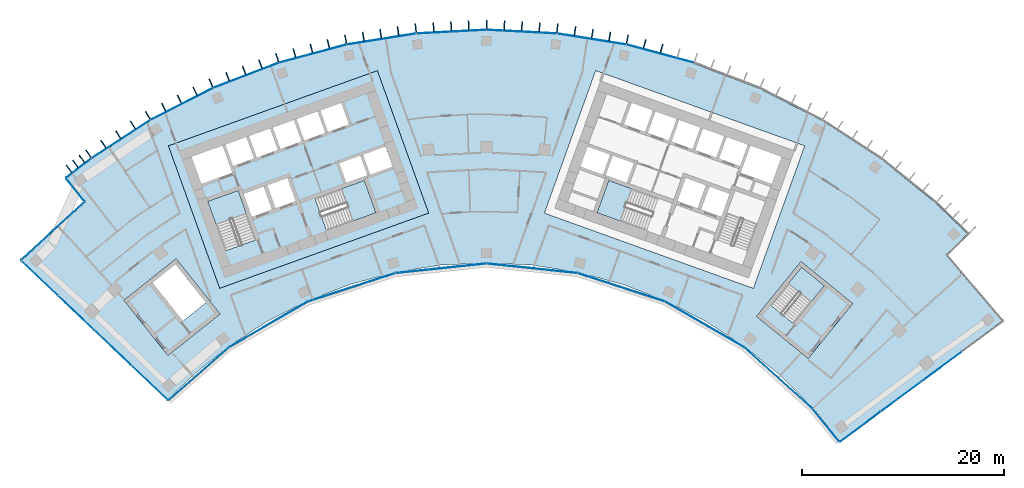
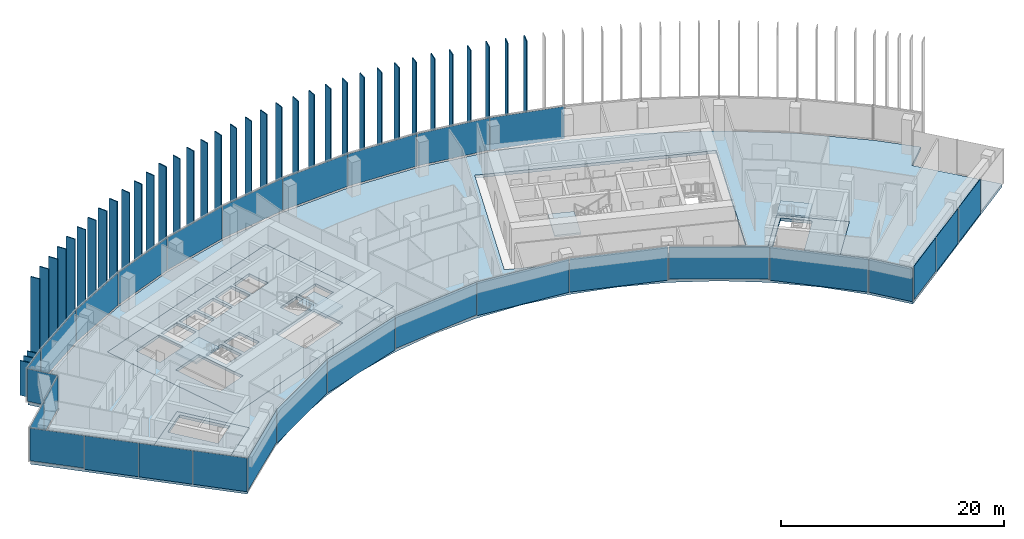
# One storey, part 11 of 20: 67 plates, 8 slabs, 10 elements without a shape of their own.
"""IFC4 building model written with IfcOpenShell, lengths in metres."""

from ifc_helpers import new_model, si_unit, direction, frame, origin, origin_2d, place, context, subcontext, project, spatial, polyline, rectangle, outline, extrude, material, layer, layer_set, type_object, element, aggregate, save


model = new_model("IFC4")

# Units and contexts
model_context = context("Model", 3, precision=1e-05, world=origin(), true_north=direction((0.0, 1.0)))
body_context = subcontext(model_context, "Body", "Model", "MODEL_VIEW")
ifc_project = project(units=[si_unit("LENGTHUNIT", "METRE"), si_unit("AREAUNIT", "SQUARE_METRE"), si_unit("VOLUMEUNIT", "CUBIC_METRE"), si_unit("PLANEANGLEUNIT", "RADIAN"), si_unit("MASSUNIT", "GRAM", prefix="KILO")], contexts=[model_context])

# Site, building, storey
site_placement = place(None, origin())
site = spatial("IfcSite", under=ifc_project, at=site_placement, CompositionType="ELEMENT")
building_placement = place(site_placement, origin())
building = spatial("IfcBuilding", under=site, at=building_placement, Name="Stone Belt Terrace Tower", CompositionType="ELEMENT")
storey_placement = place(building_placement, frame((0.0, 0.0, 212.39990234375)))
storey = spatial("IfcBuildingStorey", under=building, at=storey_placement, Name="L51", CompositionType="ELEMENT", Elevation=212.39990234375)

# Curtain wall, plates
ifc_material_1 = material(Name="Aluminium 6063-T6 anodised frame", Category="aluminium")
ifc_layer_1 = layer(ifc_material_1, 0.14990234375)
ifc_layer_set_1 = layer_set([ifc_layer_1], Name="CW-A unitised convex-face curtain wall")
curtain_wall_type_1 = type_object("IfcCurtainWallType", Name="CW-A unitised convex-face curtain wall", PredefinedType="NOTDEFINED", material=ifc_layer_set_1)
curtain_wall_1_placement = place(storey_placement, origin())
curtain_wall_1 = element("IfcCurtainWall", 1, at=curtain_wall_1_placement, inside=storey, type_object=curtain_wall_type_1, Name="CW-A convex face L51", PredefinedType="NOTDEFINED")
ifc_material_2 = material(Name="Clear double glazed unit")
ifc_layer_2 = layer(ifc_material_2, 0.031982421875)
ifc_layer_set_2 = layer_set([ifc_layer_2], Name="CW-A glass panel 32")
plate_type_1 = type_object("IfcPlateType", Name="CW-A glass panel 32", PredefinedType="CURTAIN_PANEL", material=ifc_layer_set_2)
plate_1_placement = place(storey_placement, frame((17.207275390625, 64.218505859375, 0.14013671875), z_axis=(0.0, 0.0, 1.0), x_axis=(-0.965925826289, 0.258819045103, 0.0)))
plate_1 = element("IfcPlate", 2, at=plate_1_placement, type_object=plate_type_1, Name="CW-A panel 6.1", PredefinedType="CURTAIN_PANEL", context=body_context, shape_type="SweptSolid", body=[
    extrude(rectangle(XDim=6.90087890625, YDim=0.031982421875, at=origin_2d()), origin(), (0.0, 0.0, 1.0), 3.52001953125),
])
plate_2_placement = place(storey_placement, frame((10.400390625, 65.665283203125, 0.14013671875), z_axis=(0.0, 0.0, 1.0), x_axis=(-0.987688340595, 0.15643446504, 0.0)))
plate_2 = element("IfcPlate", 3, at=plate_2_placement, type_object=plate_type_1, Name="CW-A panel 7.1", PredefinedType="CURTAIN_PANEL", context=body_context, shape_type="SweptSolid", body=[
    extrude(rectangle(XDim=6.90087890625, YDim=0.031982421875, at=origin_2d()), origin(), (0.0, 0.0, 1.0), 3.52001953125),
])
plate_3_placement = place(storey_placement, frame((3.4794921875, 66.392822265625, 0.14013671875), z_axis=(0.0, 0.0, 1.0), x_axis=(-0.998629534755, 0.052335956243, 0.0)))
plate_3 = element("IfcPlate", 4, at=plate_3_placement, type_object=plate_type_1, Name="CW-A panel 8.1", PredefinedType="CURTAIN_PANEL", context=body_context, shape_type="SweptSolid", body=[
    extrude(rectangle(XDim=6.90087890625, YDim=0.031982421875, at=origin_2d()), origin(), (0.0, 0.0, 1.0), 3.52001953125),
])
plate_4_placement = place(storey_placement, frame((-3.4794921875, 66.392822265625, 0.14013671875), z_axis=(0.0, 0.0, 1.0), x_axis=(-0.998629534755, -0.052335956243, 0.0)))
plate_4 = element("IfcPlate", 5, at=plate_4_placement, type_object=plate_type_1, Name="CW-A panel 9.1", PredefinedType="CURTAIN_PANEL", context=body_context, shape_type="SweptSolid", body=[
    extrude(rectangle(XDim=6.90087890625, YDim=0.031982421875, at=origin_2d()), origin(), (0.0, 0.0, 1.0), 3.52001953125),
])
plate_5_placement = place(storey_placement, frame((-10.400390625, 65.665283203125, 0.14013671875), z_axis=(0.0, 0.0, 1.0), x_axis=(-0.987688340595, -0.15643446504, 0.0)))
plate_5 = element("IfcPlate", 6, at=plate_5_placement, type_object=plate_type_1, Name="CW-A panel 10.1", PredefinedType="CURTAIN_PANEL", context=body_context, shape_type="SweptSolid", body=[
    extrude(rectangle(XDim=6.90087890625, YDim=0.031982421875, at=origin_2d()), origin(), (0.0, 0.0, 1.0), 3.52001953125),
])
plate_6_placement = place(storey_placement, frame((-17.207275390625, 64.218505859375, 0.14013671875), z_axis=(0.0, 0.0, 1.0), x_axis=(-0.965925826289, -0.258819045103, 0.0)))
plate_6 = element("IfcPlate", 7, at=plate_6_placement, type_object=plate_type_1, Name="CW-A panel 11.1", PredefinedType="CURTAIN_PANEL", context=body_context, shape_type="SweptSolid", body=[
    extrude(rectangle(XDim=6.90087890625, YDim=0.031982421875, at=origin_2d()), origin(), (0.0, 0.0, 1.0), 3.52001953125),
])
plate_7_placement = place(storey_placement, frame((-23.82568359375, 62.068115234375, 0.14013671875), z_axis=(0.0, 0.0, 1.0), x_axis=(-0.933580426497, -0.358367949545, 0.0)))
plate_7 = element("IfcPlate", 8, at=plate_7_placement, type_object=plate_type_1, Name="CW-A panel 12.1", PredefinedType="CURTAIN_PANEL", context=body_context, shape_type="SweptSolid", body=[
    extrude(rectangle(XDim=6.90087890625, YDim=0.031982421875, at=origin_2d()), origin(), (0.0, 0.0, 1.0), 3.52001953125),
])
plate_8_placement = place(storey_placement, frame((-30.18310546875, 59.237548828125, 0.14013671875), z_axis=(0.0, 0.0, 1.0), x_axis=(-0.891006524188, -0.45399049974, 0.0)))
plate_8 = element("IfcPlate", 9, at=plate_8_placement, type_object=plate_type_1, Name="CW-A panel 13.1", PredefinedType="CURTAIN_PANEL", context=body_context, shape_type="SweptSolid", body=[
    extrude(rectangle(XDim=6.90087890625, YDim=0.031982421875, at=origin_2d()), origin(), (0.0, 0.0, 1.0), 3.52001953125),
])
plate_9_placement = place(storey_placement, frame((-36.209716796875, 55.758056640625, 0.14013671875), z_axis=(0.0, 0.0, 1.0), x_axis=(-0.838670567945, -0.544639035015, 0.0)))
plate_9 = element("IfcPlate", 10, at=plate_9_placement, type_object=plate_type_1, Name="CW-A panel 14.1", PredefinedType="CURTAIN_PANEL", context=body_context, shape_type="SweptSolid", body=[
    extrude(rectangle(XDim=6.900634765625, YDim=0.031982421875, at=origin_2d()), origin(), (0.0, 0.0, 1.0), 3.52001953125),
])
plate_10_placement = place(storey_placement, frame((-40.394775390625, 52.896240234375, 0.14013671875), z_axis=(0.0, 0.0, 1.0), x_axis=(-0.794905425637, -0.606733355184, 0.0)))
plate_10 = element("IfcPlate", 11, at=plate_10_placement, type_object=plate_type_1, Name="CW-A panel 15.1", PredefinedType="CURTAIN_PANEL", context=body_context, shape_type="SweptSolid", body=[
    extrude(rectangle(XDim=3.1142578125, YDim=0.031982421875, at=origin_2d()), origin(), (0.0, 0.0, 1.0), 3.52001953125),
])
aggregate(curtain_wall_1, [plate_1, plate_2, plate_3, plate_4, plate_5, plate_6, plate_7, plate_8, plate_9, plate_10])

ifc_layer_3 = layer(ifc_material_1, 0.14990234375)
ifc_layer_set_3 = layer_set([ifc_layer_3], Name="CW-B unitised concave-face curtain wall")
curtain_wall_type_2 = type_object("IfcCurtainWallType", Name="CW-B unitised concave-face curtain wall", PredefinedType="NOTDEFINED", material=ifc_layer_set_3)
curtain_wall_2_placement = place(storey_placement, origin())
curtain_wall_2 = element("IfcCurtainWall", 12, at=curtain_wall_2_placement, inside=storey, type_object=curtain_wall_type_2, Name="CW-B concave face L51", PredefinedType="NOTDEFINED")
ifc_layer_4 = layer(ifc_material_2, 0.030029296875)
ifc_layer_set_4 = layer_set([ifc_layer_4], Name="CW-B glass panel 30")
plate_type_2 = type_object("IfcPlateType", Name="CW-B glass panel 30", PredefinedType="CURTAIN_PANEL", material=ifc_layer_set_4)
plate_11_placement = place(storey_placement, frame((-28.516357421875, 32.509033203125, 0.1201171875), z_axis=(0.0, 0.0, 1.0), x_axis=(0.752060320301, 0.659094283566, 0.0)))
plate_11 = element("IfcPlate", 13, at=plate_11_placement, type_object=plate_type_2, Name="CW-B panel 1.1", PredefinedType="CURTAIN_PANEL", context=body_context, shape_type="SweptSolid", body=[
    extrude(rectangle(XDim=7.8916015625, YDim=0.030029296875, at=origin_2d()), origin(), (0.0, 0.0, 1.0), 3.56005859375),
])
plate_12_placement = place(storey_placement, frame((-21.59375, 37.400634765625, 0.0), z_axis=(0.0, 0.0, 1.0), x_axis=(0.866025403784, 0.5, 0.0)))
plate_12 = element("IfcPlate", 14, at=plate_12_placement, type_object=plate_type_2, Name="CW-B panel 2.1", PredefinedType="CURTAIN_PANEL", context=body_context, shape_type="SweptSolid", body=[
    extrude(rectangle(XDim=9.013916015625, YDim=0.030029296875, at=origin_2d()), origin(), (0.0, 0.0, 1.0), 3.679931640625),
])
plate_13_placement = place(storey_placement, frame((-13.345458984375, 41.072998046875, 0.0), z_axis=(0.0, 0.0, 1.0), x_axis=(0.951056516295, 0.309016994375, 0.0)))
plate_13 = element("IfcPlate", 15, at=plate_13_placement, type_object=plate_type_2, Name="CW-B panel 3.1", PredefinedType="CURTAIN_PANEL", context=body_context, shape_type="SweptSolid", body=[
    extrude(rectangle(XDim=9.0126953125, YDim=0.030029296875, at=origin_2d()), origin(), (0.0, 0.0, 1.0), 3.679931640625),
])
plate_14_placement = place(storey_placement, frame((-4.51416015625, 42.9501953125, 0.1201171875), z_axis=(0.0, 0.0, 1.0), x_axis=(0.994521895368, 0.104528463268, 0.0)))
plate_14 = element("IfcPlate", 16, at=plate_14_placement, type_object=plate_type_2, Name="CW-B panel 4.1", PredefinedType="CURTAIN_PANEL", context=body_context, shape_type="SweptSolid", body=[
    extrude(rectangle(XDim=9.0126953125, YDim=0.030029296875, at=origin_2d()), origin(), (0.0, 0.0, 1.0), 3.56005859375),
])
plate_15_placement = place(storey_placement, frame((4.51416015625, 42.9501953125, 0.0), z_axis=(0.0, 0.0, 1.0), x_axis=(0.994521895368, -0.104528463268, 0.0)))
plate_15 = element("IfcPlate", 17, at=plate_15_placement, type_object=plate_type_2, Name="CW-B panel 5.1", PredefinedType="CURTAIN_PANEL", context=body_context, shape_type="SweptSolid", body=[
    extrude(rectangle(XDim=9.0126953125, YDim=0.030029296875, at=origin_2d()), origin(), (0.0, 0.0, 1.0), 3.679931640625),
])
plate_16_placement = place(storey_placement, frame((13.345458984375, 41.072998046875, 0.0), z_axis=(0.0, 0.0, 1.0), x_axis=(0.951056516295, -0.309016994375, 0.0)))
plate_16 = element("IfcPlate", 18, at=plate_16_placement, type_object=plate_type_2, Name="CW-B panel 6.1", PredefinedType="CURTAIN_PANEL", context=body_context, shape_type="SweptSolid", body=[
    extrude(rectangle(XDim=9.0126953125, YDim=0.030029296875, at=origin_2d()), origin(), (0.0, 0.0, 1.0), 3.679931640625),
])
plate_17_placement = place(storey_placement, frame((21.59326171875, 37.40087890625, 0.1201171875), z_axis=(0.0, 0.0, 1.0), x_axis=(0.866025403784, -0.5, 0.0)))
plate_17 = element("IfcPlate", 19, at=plate_17_placement, type_object=plate_type_2, Name="CW-B panel 7.1", PredefinedType="CURTAIN_PANEL", context=body_context, shape_type="SweptSolid", body=[
    extrude(rectangle(XDim=9.0126953125, YDim=0.030029296875, at=origin_2d()), origin(), (0.0, 0.0, 1.0), 3.56005859375),
])
plate_18_placement = place(storey_placement, frame((28.899169921875, 32.092529296875, 0.0), z_axis=(0.0, 0.0, 1.0), x_axis=(0.743144825477, -0.669130606359, 0.0)))
plate_18 = element("IfcPlate", 20, at=plate_18_placement, type_object=plate_type_2, Name="CW-B panel 8.1", PredefinedType="CURTAIN_PANEL", context=body_context, shape_type="SweptSolid", body=[
    extrude(rectangle(XDim=9.01708984375, YDim=0.030029296875, at=origin_2d()), origin(), (0.0, 0.0, 1.0), 3.679931640625),
])
plate_19_placement = place(storey_placement, frame((33.611572265625, 27.4150390625, 0.0), z_axis=(0.0, 0.0, 1.0), x_axis=(0.632397726807, -0.774643863417, 0.0)))
plate_19 = element("IfcPlate", 21, at=plate_19_placement, type_object=plate_type_2, Name="CW-B panel 9.1", PredefinedType="CURTAIN_PANEL", context=body_context, shape_type="SweptSolid", body=[
    extrude(rectangle(XDim=4.173828125, YDim=0.030029296875, at=origin_2d()), origin(), (0.0, 0.0, 1.0), 3.679931640625),
])
aggregate(curtain_wall_2, [plate_11, plate_12, plate_13, plate_14, plate_15, plate_16, plate_17, plate_18, plate_19])

ifc_layer_5 = layer(ifc_material_1, 0.14990234375)
ifc_layer_set_5 = layer_set([ifc_layer_5], Name="CW-C stick curtain wall, horn ends and notches")
curtain_wall_type_3 = type_object("IfcCurtainWallType", Name="CW-C stick curtain wall, horn ends and notches", PredefinedType="NOTDEFINED", material=ifc_layer_set_5)
curtain_wall_3_placement = place(storey_placement, origin())
curtain_wall_3 = element("IfcCurtainWall", 22, at=curtain_wall_3_placement, inside=storey, type_object=curtain_wall_type_3, Name="CW-C end face L51", PredefinedType="NOTDEFINED")
ifc_layer_6 = layer(ifc_material_2, 0.028076171875)
ifc_layer_set_6 = layer_set([ifc_layer_6], Name="CW-C glass panel 28")
plate_type_3 = type_object("IfcPlateType", Name="CW-C glass panel 28", PredefinedType="CURTAIN_PANEL", material=ifc_layer_set_6)
plate_20_placement = place(storey_placement, frame((37.032470703125, 27.263916015625, 0.1201171875), z_axis=(0.0, 0.0, 1.0), x_axis=(0.804329077539, 0.594184091865, 0.0)))
plate_20 = element("IfcPlate", 23, at=plate_20_placement, type_object=plate_type_3, Name="CW-C panel 1.1", PredefinedType="CURTAIN_PANEL", context=body_context, shape_type="SweptSolid", body=[
    extrude(rectangle(XDim=4.968017578125, YDim=0.028076171875, at=origin_2d()), origin(), (0.0, 0.0, 1.0), 3.679931640625),
])
plate_21_placement = place(storey_placement, frame((41.0654296875, 30.2431640625, 0.0), z_axis=(0.0, 0.0, 1.0), x_axis=(0.804329077539, 0.594184091865, 0.0)))
plate_21 = element("IfcPlate", 24, at=plate_21_placement, type_object=plate_type_3, Name="CW-C panel 2.1", PredefinedType="CURTAIN_PANEL", context=body_context, shape_type="SweptSolid", body=[
    extrude(rectangle(XDim=4.93994140625, YDim=0.028076171875, at=origin_2d()), origin(), (0.0, 0.0, 1.0), 3.800048828125),
])
plate_22_placement = place(storey_placement, frame((45.0869140625, 33.2138671875, 0.0), z_axis=(0.0, 0.0, 1.0), x_axis=(0.804329077539, 0.594184091865, 0.0)))
plate_22 = element("IfcPlate", 25, at=plate_22_placement, type_object=plate_type_3, Name="CW-C panel 3.1", PredefinedType="CURTAIN_PANEL", context=body_context, shape_type="SweptSolid", body=[
    extrude(rectangle(XDim=4.93994140625, YDim=0.028076171875, at=origin_2d()), origin(), (0.0, 0.0, 1.0), 3.800048828125),
])
aggregate(curtain_wall_3, [plate_20, plate_21, plate_22])

# Curtain wall, plate
curtain_wall_4_placement = place(storey_placement, origin())
curtain_wall_4 = element("IfcCurtainWall", 26, at=curtain_wall_4_placement, inside=storey, type_object=curtain_wall_type_3, Name="CW-C notch face L51", PredefinedType="NOTDEFINED")
plate_23_placement = place(storey_placement, frame((-40.751220703125, 50.732666015625, 0.1201171875), z_axis=(0.0, 0.0, 1.0), x_axis=(0.625342799553, -0.780350166943, 0.0)))
plate_23 = element("IfcPlate", 27, at=plate_23_placement, type_object=plate_type_3, Name="CW-C panel 1.1", PredefinedType="CURTAIN_PANEL", context=body_context, shape_type="SweptSolid", body=[
    extrude(rectangle(XDim=2.85888671875, YDim=0.028076171875, at=origin_2d()), origin(), (0.0, 0.0, 1.0), 3.56005859375),
])
aggregate(curtain_wall_4, [plate_23])

# Curtain wall, plates
curtain_wall_5_placement = place(storey_placement, origin())
curtain_wall_5 = element("IfcCurtainWall", 28, at=curtain_wall_5_placement, inside=storey, type_object=curtain_wall_type_3, Name="CW-C notch face L51", PredefinedType="NOTDEFINED")
plate_24_placement = place(storey_placement, frame((-41.38232421875, 48.116455078125, 0.1201171875), z_axis=(0.0, 0.0, 1.0), x_axis=(-0.736280049148, -0.676676945985, 0.0)))
plate_24 = element("IfcPlate", 29, at=plate_24_placement, type_object=plate_type_3, Name="CW-C panel 1.1", PredefinedType="CURTAIN_PANEL", context=body_context, shape_type="SweptSolid", body=[
    extrude(rectangle(XDim=4.12060546875, YDim=0.028076171875, at=origin_2d()), origin(), (0.0, 0.0, 1.0), 3.56005859375),
])
plate_25_placement = place(storey_placement, frame((-44.514892578125, 45.237548828125, 0.0), z_axis=(0.0, 0.0, 1.0), x_axis=(-0.736280049148, -0.676676945985, 0.0)))
plate_25 = element("IfcPlate", 30, at=plate_25_placement, type_object=plate_type_3, Name="CW-C panel 2.1", PredefinedType="CURTAIN_PANEL", context=body_context, shape_type="SweptSolid", body=[
    extrude(rectangle(XDim=4.268798828125, YDim=0.028076171875, at=origin_2d()), origin(), (0.0, 0.0, 1.0), 3.679931640625),
])
aggregate(curtain_wall_5, [plate_24, plate_25])

curtain_wall_6_placement = place(storey_placement, origin())
curtain_wall_6 = element("IfcCurtainWall", 31, at=curtain_wall_6_placement, inside=storey, type_object=curtain_wall_type_3, Name="CW-C end face L51", PredefinedType="NOTDEFINED")
plate_26_placement = place(storey_placement, frame((-44.2841796875, 41.976806640625, 0.1201171875), z_axis=(0.0, 0.0, 1.0), x_axis=(0.72491369175, -0.688839705238, 0.0)))
plate_26 = element("IfcPlate", 32, at=plate_26_placement, type_object=plate_type_3, Name="CW-C panel 1.1", PredefinedType="CURTAIN_PANEL", context=body_context, shape_type="SweptSolid", body=[
    extrude(rectangle(XDim=4.974853515625, YDim=0.028076171875, at=origin_2d()), origin(), (0.0, 0.0, 1.0), 3.56005859375),
])
plate_27_placement = place(storey_placement, frame((-40.646728515625, 38.520751953125, 0.0), z_axis=(0.0, 0.0, 1.0), x_axis=(0.72491369175, -0.688839705238, 0.0)))
plate_27 = element("IfcPlate", 33, at=plate_27_placement, type_object=plate_type_3, Name="CW-C panel 2.1", PredefinedType="CURTAIN_PANEL", context=body_context, shape_type="SweptSolid", body=[
    extrude(rectangle(XDim=4.93994140625, YDim=0.028076171875, at=origin_2d()), origin(), (0.0, 0.0, 1.0), 3.679931640625),
])
plate_28_placement = place(storey_placement, frame((-37.022216796875, 35.076416015625, 0.0), z_axis=(0.0, 0.0, 1.0), x_axis=(0.72491369175, -0.688839705238, 0.0)))
plate_28 = element("IfcPlate", 34, at=plate_28_placement, type_object=plate_type_3, Name="CW-C panel 3.1", PredefinedType="CURTAIN_PANEL", context=body_context, shape_type="SweptSolid", body=[
    extrude(rectangle(XDim=4.93994140625, YDim=0.028076171875, at=origin_2d()), origin(), (0.0, 0.0, 1.0), 3.679931640625),
])
plate_29_placement = place(storey_placement, frame((-33.388427734375, 31.623291015625, 0.0), z_axis=(0.0, 0.0, 1.0), x_axis=(0.72491369175, -0.688839705238, 0.0)))
plate_29 = element("IfcPlate", 35, at=plate_29_placement, type_object=plate_type_3, Name="CW-C panel 4.1", PredefinedType="CURTAIN_PANEL", context=body_context, shape_type="SweptSolid", body=[
    extrude(rectangle(XDim=4.9658203125, YDim=0.028076171875, at=origin_2d()), origin(), (0.0, 0.0, 1.0), 3.679931640625),
])
aggregate(curtain_wall_6, [plate_26, plate_27, plate_28, plate_29])

# Slabs
ifc_material_3 = material(Name="Concrete B40", Category="concrete")
ifc_layer_7 = layer(ifc_material_3, 0.320068359375)
ifc_layer_set_7 = layer_set([ifc_layer_7], Name="Core floor slab 320")
slab_type_1 = type_object("IfcSlabType", Name="Core floor slab 320", PredefinedType="FLOOR", material=ifc_layer_set_7)
slab_1_placement = place(storey_placement, frame((0.0, 0.0, -0.31982421875)))
element("IfcSlab", 36, at=slab_1_placement, inside=storey, type_object=slab_type_1, Name="Core A floor L51", PredefinedType="FLOOR", context=body_context, shape_type="SweptSolid", body=[
    extrude(outline(polyline([(-26.43505859375, 40.968994140625), (-5.735107421875, 48.4189453125), (-10.81396484375, 62.531982421875), (-31.513916015625, 55.0830078125), (-26.43505859375, 40.968994140625)]), holes=[polyline([(-24.60791015625, 50.659912109375), (-22.847900390625, 45.76806640625), (-25.85888671875, 44.68408203125), (-27.618896484375, 49.575927734375), (-24.60791015625, 50.659912109375)]), polyline([(-23.25, 48.06689453125), (-24.06298828125, 50.324951171875), (-22.0869140625, 51.035888671875), (-21.27392578125, 48.778076171875), (-23.25, 48.06689453125)]), polyline([(-20.89794921875, 48.9130859375), (-21.7109375, 51.1708984375), (-19.735107421875, 51.883056640625), (-18.922119140625, 49.6240234375), (-20.89794921875, 48.9130859375)]), polyline([(-28.24609375, 51.31689453125), (-29.2109375, 53.9990234375), (-26.153076171875, 55.09912109375), (-25.18798828125, 52.41796875), (-28.24609375, 51.31689453125)]), polyline([(-23.801025390625, 55.946044921875), (-23.0390625, 53.8291015625), (-25.10888671875, 53.083984375), (-25.87109375, 55.200927734375), (-23.801025390625, 55.946044921875)]), polyline([(-21.447998046875, 56.7919921875), (-20.68603515625, 54.675048828125), (-22.756103515625, 53.929931640625), (-23.51806640625, 56.047119140625), (-21.447998046875, 56.7919921875)]), polyline([(-10.955078125, 48.452880859375), (-15.846923828125, 46.69189453125), (-16.998046875, 49.89208984375), (-12.10595703125, 51.652099609375), (-10.955078125, 48.452880859375)]), polyline([(-11.847900390625, 52.116943359375), (-11.864990234375, 52.1640625), (-13.887939453125, 51.43603515625), (-14.58203125, 53.364990234375), (-12.511962890625, 54.110107421875), (-11.801025390625, 52.134033203125), (-11.847900390625, 52.116943359375)]), polyline([(-9.30810546875, 53.031005859375), (-11.51904296875, 52.235107421875), (-12.22998046875, 54.2109375), (-10.01904296875, 55.007080078125), (-9.30810546875, 53.031005859375)]), polyline([(-21.166015625, 56.89404296875), (-19.095947265625, 57.638916015625), (-18.333984375, 55.52197265625), (-20.404052734375, 54.777099609375), (-21.166015625, 56.89404296875)]), polyline([(-16.743896484375, 58.485107421875), (-15.98193359375, 56.367919921875), (-18.052001953125, 55.623046875), (-18.81396484375, 57.739990234375), (-16.743896484375, 58.485107421875)]), polyline([(-14.39111328125, 59.33203125), (-13.6298828125, 57.215087890625), (-15.699951171875, 56.469970703125), (-16.4609375, 58.5869140625), (-14.39111328125, 59.33203125)])]), origin(), (0.0, 0.0, 1.0), 0.31982421875),
])
slab_2_placement = place(storey_placement, frame((0.0, 0.0, -0.31982421875)))
element("IfcSlab", 37, at=slab_2_placement, inside=storey, type_object=slab_type_1, Name="Exit stair ST3A floor L51", PredefinedType="FLOOR", context=body_context, shape_type="SweptSolid", body=[
    extrude(outline(polyline([(-26.39404296875, 38.425048828125), (-30.756103515625, 43.89990234375), (-35.91796875, 39.787109375), (-31.555908203125, 34.31298828125), (-26.39404296875, 38.425048828125)]), holes=[polyline([(-27.798095703125, 39.544921875), (-30.06591796875, 37.738037109375), (-33.087890625, 41.531005859375), (-30.820068359375, 43.337890625), (-27.798095703125, 39.544921875)])]), origin(), (0.0, 0.0, 1.0), 0.31982421875),
])
slab_3_placement = place(storey_placement, frame((0.0, 0.0, -0.31982421875)))
element("IfcSlab", 38, at=slab_3_placement, inside=storey, type_object=slab_type_1, Name="Exit stair ST3B floor L51", PredefinedType="FLOOR", context=body_context, shape_type="SweptSolid", body=[
    extrude(outline(polyline([(26.741943359375, 38.18408203125), (31.866943359375, 34.02392578125), (36.278076171875, 39.458984375), (31.154052734375, 43.618896484375), (26.741943359375, 38.18408203125)]), holes=[polyline([(30.407958984375, 37.462890625), (28.156005859375, 39.291015625), (31.2119140625, 43.055908203125), (33.464111328125, 41.22802734375), (30.407958984375, 37.462890625)])]), origin(), (0.0, 0.0, 1.0), 0.31982421875),
])
ifc_layer_8 = layer(ifc_material_3, 0.320068359375)
ifc_layer_set_8 = layer_set([ifc_layer_8], Name="Floor slab 320 B40")
slab_type_2 = type_object("IfcSlabType", Name="Floor slab 320 B40", PredefinedType="FLOOR", material=ifc_layer_set_8)
slab_4_placement = place(storey_placement, frame((0.0, 0.0, -0.31982421875)))
element("IfcSlab", 39, at=slab_4_placement, inside=storey, type_object=slab_type_2, Name="Floor slab L51", PredefinedType="FLOOR", context=body_context, shape_type="SweptSolid", body=[
    extrude(outline(polyline([(-39.087646484375, 53.799560546875), (-33.25, 57.5908203125), (-27.048095703125, 60.750732421875), (-20.549560546875, 63.245361328125), (-13.826171875, 65.046875), (-6.951171875, 66.1357421875), (0.0, 66.5), (6.951171875, 66.1357421875), (13.826171875, 65.046875), (20.549560546875, 63.245361328125), (27.048095703125, 60.750732421875), (33.25, 57.5908203125), (39.087646484375, 53.799560546875), (44.497314453125, 49.419189453125), (47.66748046875, 46.368896484375), (45.51708984375, 44.277099609375), (51.074951171875, 37.730712890625), (34.98828125, 25.846923828125), (32.326904296875, 29.107177734375), (29.107177734375, 32.326904296875), (25.568603515625, 35.192138671875), (21.75, 37.672119140625), (17.693115234375, 39.7392578125), (13.442138671875, 41.37109375), (9.044189453125, 42.54931640625), (4.547119140625, 43.26171875), (0.0, 43.5), (-4.547119140625, 43.26171875), (-9.044189453125, 42.54931640625), (-13.442138671875, 41.37109375), (-17.693115234375, 39.7392578125), (-21.75, 37.672119140625), (-25.568603515625, 35.192138671875), (-29.107177734375, 32.326904296875), (-31.53369140625, 29.964599609375), (-46.031982421875, 43.7412109375), (-39.709228515625, 49.55224609375), (-41.585205078125, 51.893310546875), (-39.087646484375, 53.799560546875)]), holes=[polyline([(-26.434814453125, 40.968994140625), (-5.734619140625, 48.418701171875), (-10.81396484375, 62.532470703125), (-31.51416015625, 55.082763671875), (-26.434814453125, 40.968994140625)]), polyline([(10.81396484375, 62.532470703125), (5.734619140625, 48.418701171875), (26.434814453125, 40.968994140625), (31.51416015625, 55.082763671875), (10.81396484375, 62.532470703125)]), polyline([(-35.91796875, 39.787353515625), (-31.55615234375, 34.3125), (-26.39404296875, 38.425048828125), (-30.756103515625, 43.89990234375), (-35.91796875, 39.787353515625)]), polyline([(36.2783203125, 39.459228515625), (31.15380859375, 43.61865234375), (26.742431640625, 38.18359375), (31.86669921875, 34.024169921875), (36.2783203125, 39.459228515625)])]), origin(), (0.0, 0.0, 1.0), 0.31982421875),
])

# Stair, slab
stair_type = type_object("IfcStairType", Name="Exit stair 1500", PredefinedType="HALF_TURN_STAIR", material=ifc_material_3)
stair_1_placement = place(storey_placement, origin())
stair_1 = element("IfcStair", 40, at=stair_1_placement, inside=storey, type_object=stair_type, Name="L51 Exit stair 1 core A", PredefinedType="HALF_TURN_STAIR")
ifc_layer_9 = layer(ifc_material_3, 0.199951171875)
ifc_layer_set_9 = layer_set([ifc_layer_9], Name="Stair landing 200")
slab_type_3 = type_object("IfcSlabType", Name="Stair landing 200", PredefinedType="LANDING", material=ifc_layer_set_9)
slab_5_placement = place(storey_placement, frame((0.0, 0.0, 1.7001953125)))
slab_5 = element("IfcSlab", 41, at=slab_5_placement, type_object=slab_type_3, Name="ST1A landing 1", PredefinedType="LANDING", context=body_context, shape_type="SweptSolid", body=[
    extrude(outline(polyline([(-23.79541015625, 48.40087890625), (-24.6083984375, 50.659912109375), (-27.619384765625, 49.576171875), (-26.806396484375, 47.3173828125), (-23.79541015625, 48.40087890625)])), origin(), (0.0, 0.0, 1.0), 0.199951171875),
])
aggregate(stair_1, [slab_5])

stair_2_placement = place(storey_placement, origin())
stair_2 = element("IfcStair", 42, at=stair_2_placement, inside=storey, type_object=stair_type, Name="L51 Exit stair 2 core A", PredefinedType="HALF_TURN_STAIR")
slab_6_placement = place(storey_placement, frame((0.0, 0.0, 1.7001953125)))
slab_6 = element("IfcSlab", 43, at=slab_6_placement, type_object=slab_type_3, Name="ST2A landing 1", PredefinedType="LANDING", context=body_context, shape_type="SweptSolid", body=[
    extrude(outline(polyline([(-13.213623046875, 47.64013671875), (-10.95458984375, 48.453125), (-12.10595703125, 51.652099609375), (-14.36474609375, 50.839111328125), (-13.213623046875, 47.64013671875)])), origin(), (0.0, 0.0, 1.0), 0.199951171875),
])
aggregate(stair_2, [slab_6])

stair_3_placement = place(storey_placement, origin())
stair_3 = element("IfcStair", 44, at=stair_3_placement, inside=storey, type_object=stair_type, Name="L51 Exit stair 2 core B", PredefinedType="HALF_TURN_STAIR")
slab_7_placement = place(storey_placement, frame((0.0, 0.0, 1.7001953125)))
slab_7 = element("IfcSlab", 45, at=slab_7_placement, type_object=slab_type_3, Name="ST2B landing 1", PredefinedType="LANDING", context=body_context, shape_type="SweptSolid", body=[
    extrude(outline(polyline([(14.36474609375, 50.839111328125), (12.10595703125, 51.652099609375), (10.95458984375, 48.453125), (13.213623046875, 47.64013671875), (14.36474609375, 50.839111328125)])), origin(), (0.0, 0.0, 1.0), 0.199951171875),
])
aggregate(stair_3, [slab_7])

stair_4_placement = place(storey_placement, origin())
stair_4 = element("IfcStair", 46, at=stair_4_placement, inside=storey, type_object=stair_type, Name="L51 Exit stair 3B", PredefinedType="HALF_TURN_STAIR")
slab_8_placement = place(storey_placement, frame((0.0, 0.0, 1.7001953125)))
slab_8 = element("IfcSlab", 47, at=slab_8_placement, type_object=slab_type_3, Name="ST3B landing 1", PredefinedType="LANDING", context=body_context, shape_type="SweptSolid", body=[
    extrude(outline(polyline([(32.17138671875, 39.635986328125), (33.4638671875, 41.228271484375), (31.21240234375, 43.055908203125), (29.919921875, 41.463623046875), (32.17138671875, 39.635986328125)])), origin(), (0.0, 0.0, 1.0), 0.199951171875),
])
aggregate(stair_4, [slab_8])

# Plates
ifc_material_4 = material(Name="Terracotta coloured glazed ceramic", Category="masonry")
ifc_layer_10 = layer(ifc_material_4, 0.10009765625)
ifc_layer_set_10 = layer_set([ifc_layer_10], Name="Terracotta fin 100 x 900")
plate_type_4 = type_object("IfcPlateType", Name="Terracotta fin 100 x 900", PredefinedType="SHEET", material=ifc_layer_set_10)
for number, where, z_axis, x_axis, name in (
    (48, (17.34326171875, 64.7255859375, 0.000244140625), (0.0, 0.0, 1.0), (0.258819045103, 0.965925826289, 0.0), "FIN L51 6.3"),
    (49, (15.660400390625, 65.176513671875, 0.000244140625), (0.0, 0.0, 1.0), (0.258819045103, 0.965925826289, 0.0), "FIN L51 6.4"),
    (50, (13.950927734375, 65.6337890625, 0.000244140625), (0.0, 0.0, 1.0), (0.207911690818, 0.978147600734, 0.0), "FIN L51 7.1"),
    (51, (12.203125, 65.911376953125, 0.000244140625), (0.0, 0.0, 1.0), (0.15643446504, 0.987688340595, 0.0), "FIN L51 7.2"),
    (52, (10.482421875, 66.183837890625, 0.000244140625), (0.0, 0.0, 1.0), (0.15643446504, 0.987688340595, 0.0), "FIN L51 7.3"),
    (53, (8.76171875, 66.456298828125, 0.000244140625), (0.0, 0.0, 1.0), (0.15643446504, 0.987688340595, 0.0), "FIN L51 7.4"),
    (54, (7.013916015625, 66.732421875, 0.000244140625), (0.0, 0.0, 1.0), (0.104528463268, 0.994521895368, 0.0), "FIN L51 8.1"),
    (55, (5.246826171875, 66.825927734375, 0.000244140625), (0.0, 0.0, 1.0), (0.052335956243, 0.998629534755, 0.0), "FIN L51 8.2"),
    (56, (3.507080078125, 66.9169921875, 0.000244140625), (0.0, 0.0, 1.0), (0.052335956243, 0.998629534755, 0.0), "FIN L51 8.3"),
    (57, (1.767333984375, 67.00830078125, 0.000244140625), (0.0, 0.0, 1.0), (0.052335956243, 0.998629534755, 0.0), "FIN L51 8.4"),
    (58, (0.0, 67.10009765625, 0.000244140625), (0.0, 0.0, 1.0), (0.0, 1.0, 0.0), "FIN L51 9.1"),
    (59, (-1.767333984375, 67.00830078125, 0.000244140625), (0.0, 0.0, 1.0), (-0.052335956243, 0.998629534755, 0.0), "FIN L51 9.2"),
    (60, (-3.507080078125, 66.9169921875, 0.000244140625), (0.0, 0.0, 1.0), (-0.052335956243, 0.998629534755, 0.0), "FIN L51 9.3"),
    (61, (-5.246826171875, 66.825927734375, 0.000244140625), (0.0, 0.0, 1.0), (-0.052335956243, 0.998629534755, 0.0), "FIN L51 9.4"),
    (62, (-7.013916015625, 66.732421875, 0.000244140625), (0.0, 0.0, 1.0), (-0.104528463268, 0.994521895368, 0.0), "FIN L51 10.1"),
    (63, (-8.76171875, 66.456298828125, 0.000244140625), (0.0, 0.0, 1.0), (-0.15643446504, 0.987688340595, 0.0), "FIN L51 10.2"),
    (64, (-10.482421875, 66.183837890625, 0.000244140625), (0.0, 0.0, 1.0), (-0.15643446504, 0.987688340595, 0.0), "FIN L51 10.3"),
    (65, (-12.203125, 65.911376953125, 0.000244140625), (0.0, 0.0, 1.0), (-0.15643446504, 0.987688340595, 0.0), "FIN L51 10.4"),
    (66, (-13.950927734375, 65.6337890625, 0.000244140625), (0.0, 0.0, 1.0), (-0.207911690818, 0.978147600734, 0.0), "FIN L51 11.1"),
    (67, (-15.660400390625, 65.176513671875, 0.000244140625), (0.0, 0.0, 1.0), (-0.258819045103, 0.965925826289, 0.0), "FIN L51 11.2"),
    (68, (-17.34326171875, 64.7255859375, 0.000244140625), (0.0, 0.0, 1.0), (-0.258819045103, 0.965925826289, 0.0), "FIN L51 11.3"),
    (69, (-19.02587890625, 64.274658203125, 0.000244140625), (0.0, 0.0, 1.0), (-0.258819045103, 0.965925826289, 0.0), "FIN L51 11.4"),
    (70, (-20.735107421875, 63.81591796875, 0.000244140625), (0.0, 0.0, 1.0), (-0.309016994375, 0.951056516295, 0.0), "FIN L51 12.1"),
    (71, (-22.387451171875, 63.182373046875, 0.000244140625), (0.0, 0.0, 1.0), (-0.358367949545, 0.933580426497, 0.0), "FIN L51 12.2"),
    (72, (-24.013916015625, 62.55810546875, 0.000244140625), (0.0, 0.0, 1.0), (-0.358367949545, 0.933580426497, 0.0), "FIN L51 12.3"),
    (73, (-25.64013671875, 61.933837890625, 0.000244140625), (0.0, 0.0, 1.0), (-0.358367949545, 0.933580426497, 0.0), "FIN L51 12.4"),
    (74, (-27.2919921875, 61.299072265625, 0.000244140625), (0.0, 0.0, 1.0), (-0.406736643076, 0.913545457643, 0.0), "FIN L51 13.1"),
    (75, (-28.869140625, 60.496337890625, 0.000244140625), (0.0, 0.0, 1.0), (-0.45399049974, 0.891006524188, 0.0), "FIN L51 13.2"),
    (76, (-30.42138671875, 59.705322265625, 0.000244140625), (0.0, 0.0, 1.0), (-0.45399049974, 0.891006524188, 0.0), "FIN L51 13.3"),
    (77, (-31.9736328125, 58.914306640625, 0.000244140625), (0.0, 0.0, 1.0), (-0.45399049974, 0.891006524188, 0.0), "FIN L51 13.4"),
    (78, (-33.550048828125, 58.1103515625, 0.000244140625), (0.0, 0.0, 1.0), (-0.5, 0.866025403784, 0.0), "FIN L51 14.1"),
    (79, (-35.034423828125, 57.1474609375, 0.000244140625), (0.0, 0.0, 1.0), (-0.544639035015, 0.838670567945, 0.0), "FIN L51 14.2"),
    (80, (-36.4951171875, 56.19873046875, 0.000244140625), (0.0, 0.0, 1.0), (-0.544639035015, 0.838670567945, 0.0), "FIN L51 14.3"),
    (81, (-37.9560546875, 55.25, 0.000244140625), (0.0, 0.0, 1.0), (-0.544639035015, 0.838670567945, 0.0), "FIN L51 14.4"),
    (82, (-39.433349609375, 54.2900390625, 0.000244140625), (0.0, 0.0, 1.0), (-0.576101937282, 0.81737785501, 0.0), "FIN L51 15.1"),
):
    element("IfcPlate", number, at=place(storey_placement, frame(where, z_axis=z_axis, x_axis=x_axis)), inside=storey, type_object=plate_type_4, Name=name, PredefinedType="SHEET", context=body_context, shape_type="SweptSolid", body=[
        extrude(rectangle(XDim=0.89990234375, YDim=0.10009765625, at=origin_2d()), origin(), (0.0, 0.0, 1.0), 11.39990234375),
    ])
for number, where, z_axis, x_axis, name in (
    (83, (-40.089599609375, 53.78955078125, 0.0), (0.0, 0.0, 1.0), (-0.606733355184, 0.794905425637, 0.0), "FIN L51 15.2"),
    (84, (-40.72998046875, 53.301025390625, 0.0), (0.0, 0.0, 1.0), (-0.606733355184, 0.794905425637, 0.0), "FIN L51 15.3"),
    (85, (-41.3701171875, 52.812255859375, 0.0), (0.0, 0.0, 1.0), (-0.606733355184, 0.794905425637, 0.0), "FIN L51 15.4"),
):
    element("IfcPlate", number, at=place(storey_placement, frame(where, z_axis=z_axis, x_axis=x_axis)), inside=storey, type_object=plate_type_4, Name=name, PredefinedType="SHEET", context=body_context, shape_type="SweptSolid", body=[
        extrude(rectangle(XDim=0.89990234375, YDim=0.10009765625, at=origin_2d()), origin(), (0.0, 0.0, 1.0), 3.800048828125),
    ])

save(model, "model.ifc")
